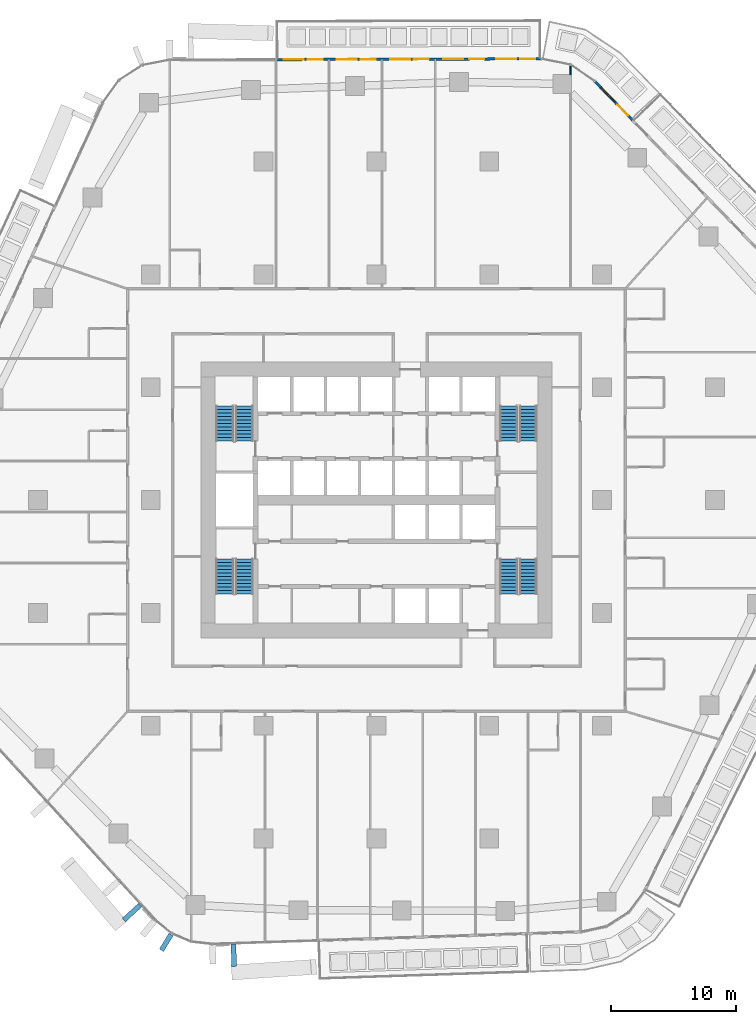
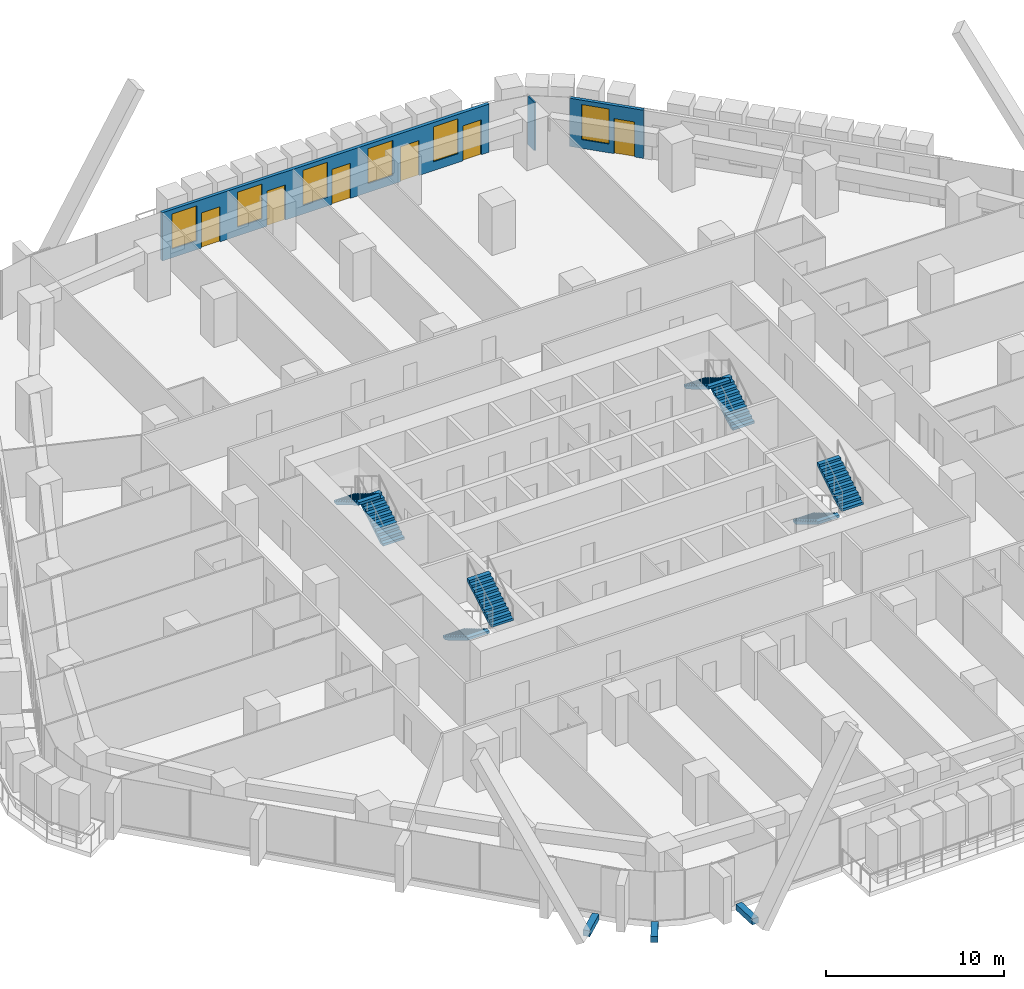
# One storey, part 19 of 27: 8 stair flights, 6 doors, 6 windows, 3 discrete accessories, 3 walls, 12 openings, 4 elements without a shape of their own.
"""IFC4 building model written with IfcOpenShell, lengths in metres."""

from ifc_helpers import new_model, si_unit, direction, frame, frame_2d, origin, origin_2d, place, context, subcontext, project, spatial, polyline, rectangle, outline, extrude, material, layer, layer_set, type_object, element, fill, aggregate, save


model = new_model("IFC4")

# Units and contexts
model_context = context("Model", 3, precision=1e-05, world=origin(), true_north=direction((0.0, 1.0)))
body_context = subcontext(model_context, "Body", "Model", "MODEL_VIEW")
ifc_project = project(units=[si_unit("LENGTHUNIT", "METRE"), si_unit("AREAUNIT", "SQUARE_METRE"), si_unit("VOLUMEUNIT", "CUBIC_METRE"), si_unit("PLANEANGLEUNIT", "RADIAN"), si_unit("MASSUNIT", "GRAM", prefix="KILO")], contexts=[model_context])

# Site, building, storey
site_placement = place(None, origin())
site = spatial("IfcSite", under=ifc_project, at=site_placement, CompositionType="ELEMENT")
building_placement = place(site_placement, origin())
building = spatial("IfcBuilding", under=site, at=building_placement, Name="Dongbaek Canopy Tower", CompositionType="ELEMENT")
storey_placement = place(building_placement, frame((0.0, 0.0, 62.5)))
storey = spatial("IfcBuildingStorey", under=building, at=storey_placement, Name="L11", CompositionType="ELEMENT", Elevation=62.5)

# Wall
ifc_material_1 = material(Name="Gypsum board partition, steel stud, 2 x 12.5 mm board", Category="steel")
ifc_layer_1 = layer(ifc_material_1, 0.10009765625)
ifc_layer_set_1 = layer_set([ifc_layer_1], Name="Partition 100 gypsum board")
wall_type_1 = type_object("IfcWallType", Name="Partition 100 gypsum board", PredefinedType="PARTITIONING", material=ifc_layer_set_1)
wall_1_placement = place(storey_placement, frame((15.47509765625, 33.944091796875, 0.0), z_axis=(0.0, 0.0, 1.0), x_axis=(0.0, 1.0, 0.0)))
element("IfcWall", 1, at=wall_1_placement, inside=storey, type_object=wall_type_1, Name="Partition", PredefinedType="PARTITIONING", context=body_context, shape_type="SweptSolid", body=[
    extrude(rectangle(XDim=0.758544921875, YDim=0.10009765625, at=frame_2d((0.37939453125, 0.0))), origin(), (0.0, 0.0, 1.0), 3.300048828125),
])

# Wall, openings, door, window
ifc_material_2 = material(Name="Aluminium window wall", Category="aluminium")
ifc_layer_2 = layer(ifc_material_2, 0.199951171875)
ifc_layer_set_2 = layer_set([ifc_layer_2], Name="Window wall 200")
wall_type_2 = type_object("IfcWallType", Name="Window wall 200", PredefinedType="SOLIDWALL", material=ifc_layer_set_2)
wall_2_placement = place(storey_placement, frame((20.4130859375, 30.310791015625, 0.0), z_axis=(0.0, 0.0, 1.0), x_axis=(-0.696041877051, 0.718001187598, 0.0)))
wall_2 = element("IfcWall", 2, at=wall_2_placement, inside=storey, type_object=wall_type_2, Name="Window wall L11 6", PredefinedType="SOLIDWALL", context=body_context, shape_type="SweptSolid", body=[
    extrude(rectangle(XDim=4.29150390625, YDim=0.199951171875, at=frame_2d((2.145751953125, 0.0))), origin(), (0.0, 0.0, 1.0), 3.300048828125),
])
opening_1_placement = place(wall_2_placement, frame((2.0, 0.0, 0.60009765625)))
opening_1 = element("IfcOpeningElement", 3, at=opening_1_placement, cuts=wall_2, Name="Opening W1", PredefinedType="OPENING", context=body_context, shape_type="SweptSolid", body=[
    extrude(rectangle(XDim=1.60009765625, YDim=2.39990234375, at=frame_2d((0.800048828125, 1.199951171875))), frame((0.0, 0.10986328125, 0.0), z_axis=(0.0, -1.0, 0.0), x_axis=(1.0, 0.0, 0.0)), (0.0, 0.0, 1.0), 0.219970703125),
])
opening_2_placement = place(wall_2_placement, frame((0.5, 0.0, 0.0)))
opening_2 = element("IfcOpeningElement", 4, at=opening_2_placement, cuts=wall_2, Name="Opening L11-B05", PredefinedType="OPENING", context=body_context, shape_type="SweptSolid", body=[
    extrude(rectangle(XDim=1.199951171875, YDim=2.39990234375, at=frame_2d((0.60009765625, 1.199951171875))), frame((0.0, 0.10986328125, 0.0), z_axis=(0.0, -1.0, 0.0), x_axis=(1.0, 0.0, 0.0)), (0.0, 0.0, 1.0), 0.219970703125),
])
ifc_material_3 = material(Name="Clear glazing in aluminium frame", Category="aluminium")
door_type = type_object("IfcDoorType", Name="Balcony door BD1 1200 x 2400", OperationType="SLIDING_TO_LEFT", PredefinedType="DOOR", material=ifc_material_3)
door_1_placement = place(opening_2_placement, origin())
door_1 = element("IfcDoor", 5, at=door_1_placement, inside=storey, type_object=door_type, Name="Balcony door L11-B05", OperationType="SLIDING_TO_LEFT", OverallHeight=2.39990234375, OverallWidth=1.199951171875, PredefinedType="DOOR", context=body_context, shape_type="SweptSolid", body=[
    extrude(rectangle(XDim=1.199951171875, YDim=2.39990234375, at=frame_2d((0.60009765625, 1.199951171875))), frame((0.0, 0.02490234375, 0.0), z_axis=(0.0, -1.0, 0.0), x_axis=(1.0, 0.0, 0.0)), (0.0, 0.0, 1.0), 0.050048828125),
])
fill(opening_2, door_1)
ifc_material_4 = material(Name="Clear glazing in aluminium frame", Category="aluminium")
window_type = type_object("IfcWindowType", Name="Window W1 1600 x 2400", PartitioningType="SINGLE_PANEL", PredefinedType="WINDOW", material=ifc_material_4)
window_1_placement = place(opening_1_placement, origin())
window_1 = element("IfcWindow", 6, at=window_1_placement, inside=storey, type_object=window_type, Name="Window L11 6.1", OverallHeight=2.39990234375, OverallWidth=1.60009765625, PartitioningType="SINGLE_PANEL", PredefinedType="WINDOW", context=body_context, shape_type="SweptSolid", body=[
    extrude(rectangle(XDim=1.60009765625, YDim=2.39990234375, at=frame_2d((0.800048828125, 1.199951171875))), frame((0.0, 0.030029296875, 0.0), z_axis=(0.0, -1.0, 0.0), x_axis=(1.0, 0.0, 0.0)), (0.0, 0.0, 1.0), 0.06005859375),
])
fill(opening_1, window_1)

# Wall, openings, doors, windows
wall_3_placement = place(storey_placement, frame((13.156982421875, 35.192626953125, 0.0), z_axis=(0.0, 0.0, 1.0), x_axis=(-0.99999645413, -0.00266302965, 0.0)))
wall_3 = element("IfcWall", 7, at=wall_3_placement, inside=storey, type_object=wall_type_2, Name="Window wall L11 2", PredefinedType="SOLIDWALL", context=body_context, shape_type="SweptSolid", body=[
    extrude(rectangle(XDim=21.177490234375, YDim=0.199951171875, at=frame_2d((10.5888671875, 0.0))), origin(), (0.0, 0.0, 1.0), 3.300048828125),
])
opening_3_placement = place(wall_3_placement, frame((2.0, 0.0, 0.60009765625)))
opening_3 = element("IfcOpeningElement", 8, at=opening_3_placement, cuts=wall_3, Name="Opening W1", PredefinedType="OPENING", context=body_context, shape_type="SweptSolid", body=[
    extrude(rectangle(XDim=1.60009765625, YDim=2.39990234375, at=frame_2d((0.800048828125, 1.199951171875))), frame((0.0, 0.10986328125, 0.0), z_axis=(0.0, -1.0, 0.0), x_axis=(1.0, 0.0, 0.0)), (0.0, 0.0, 1.0), 0.219970703125),
])
opening_4_placement = place(wall_3_placement, frame((0.5, 0.0, 0.0)))
opening_4 = element("IfcOpeningElement", 9, at=opening_4_placement, cuts=wall_3, Name="Opening L11-B06", PredefinedType="OPENING", context=body_context, shape_type="SweptSolid", body=[
    extrude(rectangle(XDim=1.199951171875, YDim=2.39990234375, at=frame_2d((0.60009765625, 1.199951171875))), frame((0.0, 0.10986328125, 0.0), z_axis=(0.0, -1.0, 0.0), x_axis=(1.0, 0.0, 0.0)), (0.0, 0.0, 1.0), 0.219970703125),
])
opening_5_placement = place(wall_3_placement, frame((6.235595703125, 0.0, 0.60009765625)))
opening_5 = element("IfcOpeningElement", 10, at=opening_5_placement, cuts=wall_3, Name="Opening W1", PredefinedType="OPENING", context=body_context, shape_type="SweptSolid", body=[
    extrude(rectangle(XDim=1.60009765625, YDim=2.39990234375, at=frame_2d((0.800048828125, 1.199951171875))), frame((0.0, 0.10986328125, 0.0), z_axis=(0.0, -1.0, 0.0), x_axis=(1.0, 0.0, 0.0)), (0.0, 0.0, 1.0), 0.219970703125),
])
opening_6_placement = place(wall_3_placement, frame((4.535400390625, 0.0, 0.0)))
opening_6 = element("IfcOpeningElement", 11, at=opening_6_placement, cuts=wall_3, Name="Opening L11-B07", PredefinedType="OPENING", context=body_context, shape_type="SweptSolid", body=[
    extrude(rectangle(XDim=1.199951171875, YDim=2.39990234375, at=frame_2d((0.60009765625, 1.199951171875))), frame((0.0, 0.10986328125, 0.0), z_axis=(0.0, -1.0, 0.0), x_axis=(1.0, 0.0, 0.0)), (0.0, 0.0, 1.0), 0.219970703125),
])
opening_7_placement = place(wall_3_placement, frame((10.470947265625, 0.0, 0.60009765625)))
opening_7 = element("IfcOpeningElement", 12, at=opening_7_placement, cuts=wall_3, Name="Opening W1", PredefinedType="OPENING", context=body_context, shape_type="SweptSolid", body=[
    extrude(rectangle(XDim=1.60009765625, YDim=2.39990234375, at=frame_2d((0.800048828125, 1.199951171875))), frame((0.0, 0.10986328125, 0.0), z_axis=(0.0, -1.0, 0.0), x_axis=(1.0, 0.0, 0.0)), (0.0, 0.0, 1.0), 0.219970703125),
])
opening_8_placement = place(wall_3_placement, frame((8.970947265625, 0.0, 0.0)))
opening_8 = element("IfcOpeningElement", 13, at=opening_8_placement, cuts=wall_3, Name="Opening L11-B08", PredefinedType="OPENING", context=body_context, shape_type="SweptSolid", body=[
    extrude(rectangle(XDim=1.199951171875, YDim=2.39990234375, at=frame_2d((0.60009765625, 1.199951171875))), frame((0.0, 0.10986328125, 0.0), z_axis=(0.0, -1.0, 0.0), x_axis=(1.0, 0.0, 0.0)), (0.0, 0.0, 1.0), 0.219970703125),
])
opening_9_placement = place(wall_3_placement, frame((14.70654296875, 0.0, 0.60009765625)))
opening_9 = element("IfcOpeningElement", 14, at=opening_9_placement, cuts=wall_3, Name="Opening W1", PredefinedType="OPENING", context=body_context, shape_type="SweptSolid", body=[
    extrude(rectangle(XDim=1.60009765625, YDim=2.39990234375, at=frame_2d((0.800048828125, 1.199951171875))), frame((0.0, 0.10986328125, 0.0), z_axis=(0.0, -1.0, 0.0), x_axis=(1.0, 0.0, 0.0)), (0.0, 0.0, 1.0), 0.219970703125),
])
opening_10_placement = place(wall_3_placement, frame((13.20654296875, 0.0, 0.0)))
opening_10 = element("IfcOpeningElement", 15, at=opening_10_placement, cuts=wall_3, Name="Opening L11-B09", PredefinedType="OPENING", context=body_context, shape_type="SweptSolid", body=[
    extrude(rectangle(XDim=1.199951171875, YDim=2.39990234375, at=frame_2d((0.60009765625, 1.199951171875))), frame((0.0, 0.10986328125, 0.0), z_axis=(0.0, -1.0, 0.0), x_axis=(1.0, 0.0, 0.0)), (0.0, 0.0, 1.0), 0.219970703125),
])
opening_11_placement = place(wall_3_placement, frame((18.942138671875, 0.0, 0.60009765625)))
opening_11 = element("IfcOpeningElement", 16, at=opening_11_placement, cuts=wall_3, Name="Opening W1", PredefinedType="OPENING", context=body_context, shape_type="SweptSolid", body=[
    extrude(rectangle(XDim=1.60009765625, YDim=2.39990234375, at=frame_2d((0.800048828125, 1.199951171875))), frame((0.0, 0.10986328125, 0.0), z_axis=(0.0, -1.0, 0.0), x_axis=(1.0, 0.0, 0.0)), (0.0, 0.0, 1.0), 0.219970703125),
])
opening_12_placement = place(wall_3_placement, frame((17.442138671875, 0.0, 0.0)))
opening_12 = element("IfcOpeningElement", 17, at=opening_12_placement, cuts=wall_3, Name="Opening L11-B10", PredefinedType="OPENING", context=body_context, shape_type="SweptSolid", body=[
    extrude(rectangle(XDim=1.199951171875, YDim=2.39990234375, at=frame_2d((0.60009765625, 1.199951171875))), frame((0.0, 0.10986328125, 0.0), z_axis=(0.0, -1.0, 0.0), x_axis=(1.0, 0.0, 0.0)), (0.0, 0.0, 1.0), 0.219970703125),
])
door_2_placement = place(opening_4_placement, origin())
door_2 = element("IfcDoor", 18, at=door_2_placement, inside=storey, type_object=door_type, Name="Balcony door L11-B06", OperationType="SLIDING_TO_LEFT", OverallHeight=2.39990234375, OverallWidth=1.199951171875, PredefinedType="DOOR", context=body_context, shape_type="SweptSolid", body=[
    extrude(rectangle(XDim=1.199951171875, YDim=2.39990234375, at=frame_2d((0.60009765625, 1.199951171875))), frame((0.0, 0.02490234375, 0.0), z_axis=(0.0, -1.0, 0.0), x_axis=(1.0, 0.0, 0.0)), (0.0, 0.0, 1.0), 0.050048828125),
])
fill(opening_4, door_2)
door_3_placement = place(opening_6_placement, origin())
door_3 = element("IfcDoor", 19, at=door_3_placement, inside=storey, type_object=door_type, Name="Balcony door L11-B07", OperationType="SLIDING_TO_LEFT", OverallHeight=2.39990234375, OverallWidth=1.199951171875, PredefinedType="DOOR", context=body_context, shape_type="SweptSolid", body=[
    extrude(rectangle(XDim=1.199951171875, YDim=2.39990234375, at=frame_2d((0.60009765625, 1.199951171875))), frame((0.0, 0.02490234375, 0.0), z_axis=(0.0, -1.0, 0.0), x_axis=(1.0, 0.0, 0.0)), (0.0, 0.0, 1.0), 0.050048828125),
])
fill(opening_6, door_3)
door_4_placement = place(opening_8_placement, origin())
door_4 = element("IfcDoor", 20, at=door_4_placement, inside=storey, type_object=door_type, Name="Balcony door L11-B08", OperationType="SLIDING_TO_LEFT", OverallHeight=2.39990234375, OverallWidth=1.199951171875, PredefinedType="DOOR", context=body_context, shape_type="SweptSolid", body=[
    extrude(rectangle(XDim=1.199951171875, YDim=2.39990234375, at=frame_2d((0.60009765625, 1.199951171875))), frame((0.0, 0.02490234375, 0.0), z_axis=(0.0, -1.0, 0.0), x_axis=(1.0, 0.0, 0.0)), (0.0, 0.0, 1.0), 0.050048828125),
])
fill(opening_8, door_4)
door_5_placement = place(opening_10_placement, origin())
door_5 = element("IfcDoor", 21, at=door_5_placement, inside=storey, type_object=door_type, Name="Balcony door L11-B09", OperationType="SLIDING_TO_LEFT", OverallHeight=2.39990234375, OverallWidth=1.199951171875, PredefinedType="DOOR", context=body_context, shape_type="SweptSolid", body=[
    extrude(rectangle(XDim=1.199951171875, YDim=2.39990234375, at=frame_2d((0.60009765625, 1.199951171875))), frame((0.0, 0.02490234375, 0.0), z_axis=(0.0, -1.0, 0.0), x_axis=(1.0, 0.0, 0.0)), (0.0, 0.0, 1.0), 0.050048828125),
])
fill(opening_10, door_5)
door_6_placement = place(opening_12_placement, origin())
door_6 = element("IfcDoor", 22, at=door_6_placement, inside=storey, type_object=door_type, Name="Balcony door L11-B10", OperationType="SLIDING_TO_LEFT", OverallHeight=2.39990234375, OverallWidth=1.199951171875, PredefinedType="DOOR", context=body_context, shape_type="SweptSolid", body=[
    extrude(rectangle(XDim=1.199951171875, YDim=2.39990234375, at=frame_2d((0.60009765625, 1.199951171875))), frame((0.0, 0.02490234375, 0.0), z_axis=(0.0, -1.0, 0.0), x_axis=(1.0, 0.0, 0.0)), (0.0, 0.0, 1.0), 0.050048828125),
])
fill(opening_12, door_6)
window_2_placement = place(opening_3_placement, origin())
window_2 = element("IfcWindow", 23, at=window_2_placement, inside=storey, type_object=window_type, Name="Window L11 2.1", OverallHeight=2.39990234375, OverallWidth=1.60009765625, PartitioningType="SINGLE_PANEL", PredefinedType="WINDOW", context=body_context, shape_type="SweptSolid", body=[
    extrude(rectangle(XDim=1.60009765625, YDim=2.39990234375, at=frame_2d((0.800048828125, 1.199951171875))), frame((0.0, 0.030029296875, 0.0), z_axis=(0.0, -1.0, 0.0), x_axis=(1.0, 0.0, 0.0)), (0.0, 0.0, 1.0), 0.06005859375),
])
fill(opening_3, window_2)
window_3_placement = place(opening_5_placement, origin())
window_3 = element("IfcWindow", 24, at=window_3_placement, inside=storey, type_object=window_type, Name="Window L11 2.2", OverallHeight=2.39990234375, OverallWidth=1.60009765625, PartitioningType="SINGLE_PANEL", PredefinedType="WINDOW", context=body_context, shape_type="SweptSolid", body=[
    extrude(rectangle(XDim=1.60009765625, YDim=2.39990234375, at=frame_2d((0.800048828125, 1.199951171875))), frame((0.0, 0.030029296875, 0.0), z_axis=(0.0, -1.0, 0.0), x_axis=(1.0, 0.0, 0.0)), (0.0, 0.0, 1.0), 0.06005859375),
])
fill(opening_5, window_3)
window_4_placement = place(opening_7_placement, origin())
window_4 = element("IfcWindow", 25, at=window_4_placement, inside=storey, type_object=window_type, Name="Window L11 2.3", OverallHeight=2.39990234375, OverallWidth=1.60009765625, PartitioningType="SINGLE_PANEL", PredefinedType="WINDOW", context=body_context, shape_type="SweptSolid", body=[
    extrude(rectangle(XDim=1.60009765625, YDim=2.39990234375, at=frame_2d((0.800048828125, 1.199951171875))), frame((0.0, 0.030029296875, 0.0), z_axis=(0.0, -1.0, 0.0), x_axis=(1.0, 0.0, 0.0)), (0.0, 0.0, 1.0), 0.06005859375),
])
fill(opening_7, window_4)
window_5_placement = place(opening_9_placement, origin())
window_5 = element("IfcWindow", 26, at=window_5_placement, inside=storey, type_object=window_type, Name="Window L11 2.4", OverallHeight=2.39990234375, OverallWidth=1.60009765625, PartitioningType="SINGLE_PANEL", PredefinedType="WINDOW", context=body_context, shape_type="SweptSolid", body=[
    extrude(rectangle(XDim=1.60009765625, YDim=2.39990234375, at=frame_2d((0.800048828125, 1.199951171875))), frame((0.0, 0.030029296875, 0.0), z_axis=(0.0, -1.0, 0.0), x_axis=(1.0, 0.0, 0.0)), (0.0, 0.0, 1.0), 0.06005859375),
])
fill(opening_9, window_5)
window_6_placement = place(opening_11_placement, origin())
window_6 = element("IfcWindow", 27, at=window_6_placement, inside=storey, type_object=window_type, Name="Window L11 2.5", OverallHeight=2.39990234375, OverallWidth=1.60009765625, PartitioningType="SINGLE_PANEL", PredefinedType="WINDOW", context=body_context, shape_type="SweptSolid", body=[
    extrude(rectangle(XDim=1.60009765625, YDim=2.39990234375, at=frame_2d((0.800048828125, 1.199951171875))), frame((0.0, 0.030029296875, 0.0), z_axis=(0.0, -1.0, 0.0), x_axis=(1.0, 0.0, 0.0)), (0.0, 0.0, 1.0), 0.06005859375),
])
fill(opening_11, window_6)

# Stair, stair flights
ifc_material_5 = material(Name="Concrete C40/50", Category="concrete")
stair_type = type_object("IfcStairType", Name="Core exit stair", PredefinedType="HALF_TURN_STAIR", material=ifc_material_5)
stair_1_placement = place(storey_placement, origin())
stair_1 = element("IfcStair", 28, at=stair_1_placement, inside=storey, type_object=stair_type, Name="L11 exit stair A", PredefinedType="HALF_TURN_STAIR")
ifc_material_6 = material(Name="Concrete C40/50", Category="concrete")
ifc_layer_3 = layer(ifc_material_6, 0.14990234375)
ifc_layer_set_3 = layer_set([ifc_layer_3], Name="Core stair flight 150 waist")
stair_flight_type = type_object("IfcStairFlightType", Name="Core stair flight 150 waist", PredefinedType="STRAIGHT", material=ifc_layer_set_3)
stair_flight_1_placement = place(storey_placement, frame((12.10009765625, 4.699951171875, 0.0), z_axis=(0.0, 0.0, 1.0), x_axis=(0.0, 1.0, 0.0)))
stair_flight_1 = element("IfcStairFlight", 29, at=stair_flight_1_placement, type_object=stair_flight_type, Name="ST-A flight 1", NumberOfRisers=11, NumberOfTreads=10, PredefinedType="STRAIGHT", RiserHeight=0.168181818, TreadLength=0.28, context=body_context, shape_type="SweptSolid", body=[
    extrude(outline(polyline([(0.0, 0.0), (0.0, 0.168212890625), (0.280029296875, 0.168212890625), (0.280029296875, 0.33642578125), (0.56005859375, 0.33642578125), (0.56005859375, 0.504638671875), (0.840087890625, 0.504638671875), (0.840087890625, 0.672607421875), (1.1201171875, 0.672607421875), (1.1201171875, 0.8408203125), (1.39990234375, 0.8408203125), (1.39990234375, 1.009033203125), (1.679931640625, 1.009033203125), (1.679931640625, 1.17724609375), (1.9599609375, 1.17724609375), (1.9599609375, 1.345458984375), (2.239990234375, 1.345458984375), (2.239990234375, 1.513671875), (2.52001953125, 1.513671875), (2.52001953125, 1.681884765625), (2.800048828125, 1.681884765625), (2.800048828125, 1.85009765625), (2.800048828125, 1.5068359375), (0.291015625, 0.0), (0.0, 0.0)])), frame((0.0, 0.699951171875, 0.0), z_axis=(0.0, -1.0, 0.0), x_axis=(1.0, 0.0, 0.0)), (0.0, 0.0, 1.0), 1.39990234375),
])
stair_flight_2_placement = place(storey_placement, frame((10.550048828125, 7.5, 1.85009765625), z_axis=(0.0, 0.0, 1.0), x_axis=(0.0, -1.0, 0.0)))
stair_flight_2 = element("IfcStairFlight", 30, at=stair_flight_2_placement, type_object=stair_flight_type, Name="ST-A flight 2", NumberOfRisers=11, NumberOfTreads=10, PredefinedType="STRAIGHT", RiserHeight=0.168181818, TreadLength=0.28, context=body_context, shape_type="SweptSolid", body=[
    extrude(outline(polyline([(0.0, 0.0), (0.0, 0.168212890625), (0.280029296875, 0.168212890625), (0.280029296875, 0.33642578125), (0.56005859375, 0.33642578125), (0.56005859375, 0.504638671875), (0.840087890625, 0.504638671875), (0.840087890625, 0.672607421875), (1.1201171875, 0.672607421875), (1.1201171875, 0.8408203125), (1.39990234375, 0.8408203125), (1.39990234375, 1.009033203125), (1.679931640625, 1.009033203125), (1.679931640625, 1.17724609375), (1.9599609375, 1.17724609375), (1.9599609375, 1.345458984375), (2.239990234375, 1.345458984375), (2.239990234375, 1.513671875), (2.52001953125, 1.513671875), (2.52001953125, 1.681884765625), (2.800048828125, 1.681884765625), (2.800048828125, 1.85009765625), (2.800048828125, 1.5068359375), (0.291015625, 0.0), (0.0, 0.0)])), frame((0.0, 0.699951171875, 0.0), z_axis=(0.0, -1.0, 0.0), x_axis=(1.0, 0.0, 0.0)), (0.0, 0.0, 1.0), 1.39990234375),
])
aggregate(stair_1, [stair_flight_1, stair_flight_2])

stair_2_placement = place(storey_placement, origin())
stair_2 = element("IfcStair", 31, at=stair_2_placement, inside=storey, type_object=stair_type, Name="L11 exit stair C", PredefinedType="HALF_TURN_STAIR")
stair_flight_3_placement = place(storey_placement, frame((-10.550048828125, 4.699951171875, 0.0), z_axis=(0.0, 0.0, 1.0), x_axis=(0.0, 1.0, 0.0)))
stair_flight_3 = element("IfcStairFlight", 32, at=stair_flight_3_placement, type_object=stair_flight_type, Name="ST-C flight 1", NumberOfRisers=11, NumberOfTreads=10, PredefinedType="STRAIGHT", RiserHeight=0.168181818, TreadLength=0.28, context=body_context, shape_type="SweptSolid", body=[
    extrude(outline(polyline([(0.0, 0.0), (0.0, 0.168212890625), (0.280029296875, 0.168212890625), (0.280029296875, 0.33642578125), (0.56005859375, 0.33642578125), (0.56005859375, 0.504638671875), (0.840087890625, 0.504638671875), (0.840087890625, 0.672607421875), (1.1201171875, 0.672607421875), (1.1201171875, 0.8408203125), (1.39990234375, 0.8408203125), (1.39990234375, 1.009033203125), (1.679931640625, 1.009033203125), (1.679931640625, 1.17724609375), (1.9599609375, 1.17724609375), (1.9599609375, 1.345458984375), (2.239990234375, 1.345458984375), (2.239990234375, 1.513671875), (2.52001953125, 1.513671875), (2.52001953125, 1.681884765625), (2.800048828125, 1.681884765625), (2.800048828125, 1.85009765625), (2.800048828125, 1.5068359375), (0.291015625, 0.0), (0.0, 0.0)])), frame((0.0, 0.699951171875, 0.0), z_axis=(0.0, -1.0, 0.0), x_axis=(1.0, 0.0, 0.0)), (0.0, 0.0, 1.0), 1.39990234375),
])
stair_flight_4_placement = place(storey_placement, frame((-12.10009765625, 7.5, 1.85009765625), z_axis=(0.0, 0.0, 1.0), x_axis=(0.0, -1.0, 0.0)))
stair_flight_4 = element("IfcStairFlight", 33, at=stair_flight_4_placement, type_object=stair_flight_type, Name="ST-C flight 2", NumberOfRisers=11, NumberOfTreads=10, PredefinedType="STRAIGHT", RiserHeight=0.168181818, TreadLength=0.28, context=body_context, shape_type="SweptSolid", body=[
    extrude(outline(polyline([(0.0, 0.0), (0.0, 0.168212890625), (0.280029296875, 0.168212890625), (0.280029296875, 0.33642578125), (0.56005859375, 0.33642578125), (0.56005859375, 0.504638671875), (0.840087890625, 0.504638671875), (0.840087890625, 0.672607421875), (1.1201171875, 0.672607421875), (1.1201171875, 0.8408203125), (1.39990234375, 0.8408203125), (1.39990234375, 1.009033203125), (1.679931640625, 1.009033203125), (1.679931640625, 1.17724609375), (1.9599609375, 1.17724609375), (1.9599609375, 1.345458984375), (2.239990234375, 1.345458984375), (2.239990234375, 1.513671875), (2.52001953125, 1.513671875), (2.52001953125, 1.681884765625), (2.800048828125, 1.681884765625), (2.800048828125, 1.85009765625), (2.800048828125, 1.5068359375), (0.291015625, 0.0), (0.0, 0.0)])), frame((0.0, 0.699951171875, 0.0), z_axis=(0.0, -1.0, 0.0), x_axis=(1.0, 0.0, 0.0)), (0.0, 0.0, 1.0), 1.39990234375),
])
aggregate(stair_2, [stair_flight_3, stair_flight_4])

stair_3_placement = place(storey_placement, origin())
stair_3 = element("IfcStair", 34, at=stair_3_placement, inside=storey, type_object=stair_type, Name="L11 exit stair B", PredefinedType="HALF_TURN_STAIR")
stair_flight_5_placement = place(storey_placement, frame((10.550048828125, -4.699951171875, 0.0), z_axis=(0.0, 0.0, 1.0), x_axis=(0.0, -1.0, 0.0)))
stair_flight_5 = element("IfcStairFlight", 35, at=stair_flight_5_placement, type_object=stair_flight_type, Name="ST-B flight 1", NumberOfRisers=11, NumberOfTreads=10, PredefinedType="STRAIGHT", RiserHeight=0.168181818, TreadLength=0.28, context=body_context, shape_type="SweptSolid", body=[
    extrude(outline(polyline([(0.0, 0.0), (0.0, 0.168212890625), (0.280029296875, 0.168212890625), (0.280029296875, 0.33642578125), (0.56005859375, 0.33642578125), (0.56005859375, 0.504638671875), (0.840087890625, 0.504638671875), (0.840087890625, 0.672607421875), (1.1201171875, 0.672607421875), (1.1201171875, 0.8408203125), (1.39990234375, 0.8408203125), (1.39990234375, 1.009033203125), (1.679931640625, 1.009033203125), (1.679931640625, 1.17724609375), (1.9599609375, 1.17724609375), (1.9599609375, 1.345458984375), (2.239990234375, 1.345458984375), (2.239990234375, 1.513671875), (2.52001953125, 1.513671875), (2.52001953125, 1.681884765625), (2.800048828125, 1.681884765625), (2.800048828125, 1.85009765625), (2.800048828125, 1.5068359375), (0.291015625, 0.0), (0.0, 0.0)])), frame((0.0, 0.699951171875, 0.0), z_axis=(0.0, -1.0, 0.0), x_axis=(1.0, 0.0, 0.0)), (0.0, 0.0, 1.0), 1.39990234375),
])
stair_flight_6_placement = place(storey_placement, frame((12.10009765625, -7.5, 1.85009765625), z_axis=(0.0, 0.0, 1.0), x_axis=(0.0, 1.0, 0.0)))
stair_flight_6 = element("IfcStairFlight", 36, at=stair_flight_6_placement, type_object=stair_flight_type, Name="ST-B flight 2", NumberOfRisers=11, NumberOfTreads=10, PredefinedType="STRAIGHT", RiserHeight=0.168181818, TreadLength=0.28, context=body_context, shape_type="SweptSolid", body=[
    extrude(outline(polyline([(0.0, 0.0), (0.0, 0.168212890625), (0.280029296875, 0.168212890625), (0.280029296875, 0.33642578125), (0.56005859375, 0.33642578125), (0.56005859375, 0.504638671875), (0.840087890625, 0.504638671875), (0.840087890625, 0.672607421875), (1.1201171875, 0.672607421875), (1.1201171875, 0.8408203125), (1.39990234375, 0.8408203125), (1.39990234375, 1.009033203125), (1.679931640625, 1.009033203125), (1.679931640625, 1.17724609375), (1.9599609375, 1.17724609375), (1.9599609375, 1.345458984375), (2.239990234375, 1.345458984375), (2.239990234375, 1.513671875), (2.52001953125, 1.513671875), (2.52001953125, 1.681884765625), (2.800048828125, 1.681884765625), (2.800048828125, 1.85009765625), (2.800048828125, 1.5068359375), (0.291015625, 0.0), (0.0, 0.0)])), frame((0.0, 0.699951171875, 0.0), z_axis=(0.0, -1.0, 0.0), x_axis=(1.0, 0.0, 0.0)), (0.0, 0.0, 1.0), 1.39990234375),
])
aggregate(stair_3, [stair_flight_5, stair_flight_6])

stair_4_placement = place(storey_placement, origin())
stair_4 = element("IfcStair", 37, at=stair_4_placement, inside=storey, type_object=stair_type, Name="L11 exit stair D", PredefinedType="HALF_TURN_STAIR")
stair_flight_7_placement = place(storey_placement, frame((-12.10009765625, -4.699951171875, 0.0), z_axis=(0.0, 0.0, 1.0), x_axis=(0.0, -1.0, 0.0)))
stair_flight_7 = element("IfcStairFlight", 38, at=stair_flight_7_placement, type_object=stair_flight_type, Name="ST-D flight 1", NumberOfRisers=11, NumberOfTreads=10, PredefinedType="STRAIGHT", RiserHeight=0.168181818, TreadLength=0.28, context=body_context, shape_type="SweptSolid", body=[
    extrude(outline(polyline([(0.0, 0.0), (0.0, 0.168212890625), (0.280029296875, 0.168212890625), (0.280029296875, 0.33642578125), (0.56005859375, 0.33642578125), (0.56005859375, 0.504638671875), (0.840087890625, 0.504638671875), (0.840087890625, 0.672607421875), (1.1201171875, 0.672607421875), (1.1201171875, 0.8408203125), (1.39990234375, 0.8408203125), (1.39990234375, 1.009033203125), (1.679931640625, 1.009033203125), (1.679931640625, 1.17724609375), (1.9599609375, 1.17724609375), (1.9599609375, 1.345458984375), (2.239990234375, 1.345458984375), (2.239990234375, 1.513671875), (2.52001953125, 1.513671875), (2.52001953125, 1.681884765625), (2.800048828125, 1.681884765625), (2.800048828125, 1.85009765625), (2.800048828125, 1.5068359375), (0.291015625, 0.0), (0.0, 0.0)])), frame((0.0, 0.699951171875, 0.0), z_axis=(0.0, -1.0, 0.0), x_axis=(1.0, 0.0, 0.0)), (0.0, 0.0, 1.0), 1.39990234375),
])
stair_flight_8_placement = place(storey_placement, frame((-10.550048828125, -7.5, 1.85009765625), z_axis=(0.0, 0.0, 1.0), x_axis=(0.0, 1.0, 0.0)))
stair_flight_8 = element("IfcStairFlight", 39, at=stair_flight_8_placement, type_object=stair_flight_type, Name="ST-D flight 2", NumberOfRisers=11, NumberOfTreads=10, PredefinedType="STRAIGHT", RiserHeight=0.168181818, TreadLength=0.28, context=body_context, shape_type="SweptSolid", body=[
    extrude(outline(polyline([(0.0, 0.0), (0.0, 0.168212890625), (0.280029296875, 0.168212890625), (0.280029296875, 0.33642578125), (0.56005859375, 0.33642578125), (0.56005859375, 0.504638671875), (0.840087890625, 0.504638671875), (0.840087890625, 0.672607421875), (1.1201171875, 0.672607421875), (1.1201171875, 0.8408203125), (1.39990234375, 0.8408203125), (1.39990234375, 1.009033203125), (1.679931640625, 1.009033203125), (1.679931640625, 1.17724609375), (1.9599609375, 1.17724609375), (1.9599609375, 1.345458984375), (2.239990234375, 1.345458984375), (2.239990234375, 1.513671875), (2.52001953125, 1.513671875), (2.52001953125, 1.681884765625), (2.800048828125, 1.681884765625), (2.800048828125, 1.85009765625), (2.800048828125, 1.5068359375), (0.291015625, 0.0), (0.0, 0.0)])), frame((0.0, 0.699951171875, 0.0), z_axis=(0.0, -1.0, 0.0), x_axis=(1.0, 0.0, 0.0)), (0.0, 0.0, 1.0), 1.39990234375),
])
aggregate(stair_4, [stair_flight_7, stair_flight_8])

# Discrete accessories
ifc_material_7 = material(Name="Galvanised steel S355 bracket", Category="steel")
discrete_accessory_type = type_object("IfcDiscreteAccessoryType", Name="Crease fin bracket BR3 400", PredefinedType="BRACKET", material=ifc_material_7)
discrete_accessory_1_placement = place(storey_placement, frame((-19.498291015625, -32.908447265625, -0.39990234375), z_axis=(0.0, 0.0, 1.0), x_axis=(-0.737854839525, -0.674959432699, 0.0)))
element("IfcDiscreteAccessory", 40, at=discrete_accessory_1_placement, inside=storey, type_object=discrete_accessory_type, Name="Crease fin bracket L11 F3", PredefinedType="BRACKET", context=body_context, shape_type="SweptSolid", body=[
    extrude(rectangle(XDim=1.75, YDim=0.39990234375, at=origin_2d()), origin(), (0.0, 0.0, 1.0), 0.39990234375),
])
discrete_accessory_2_placement = place(storey_placement, frame((-11.375732421875, -36.32470703125, -0.39990234375), z_axis=(0.0, 0.0, 1.0), x_axis=(0.032645818153, -0.999466983225, 0.0)))
element("IfcDiscreteAccessory", 41, at=discrete_accessory_2_placement, inside=storey, type_object=discrete_accessory_type, Name="Crease fin bracket L11 F4", PredefinedType="BRACKET", context=body_context, shape_type="SweptSolid", body=[
    extrude(rectangle(XDim=1.740234375, YDim=0.39990234375, at=origin_2d()), origin(), (0.0, 0.0, 1.0), 0.39990234375),
])
discrete_accessory_3_placement = place(storey_placement, frame((-16.76318359375, -35.28173828125, -0.39990234375), z_axis=(0.0, 0.0, 1.0), x_axis=(-0.516170126701, -0.856486077121, 0.0)))
element("IfcDiscreteAccessory", 42, at=discrete_accessory_3_placement, inside=storey, type_object=discrete_accessory_type, Name="Corner fin bracket L11 K4", PredefinedType="BRACKET", context=body_context, shape_type="SweptSolid", body=[
    extrude(rectangle(XDim=1.469970703125, YDim=0.39990234375, at=origin_2d()), origin(), (0.0, 0.0, 1.0), 0.39990234375),
])

save(model, "model.ifc")
